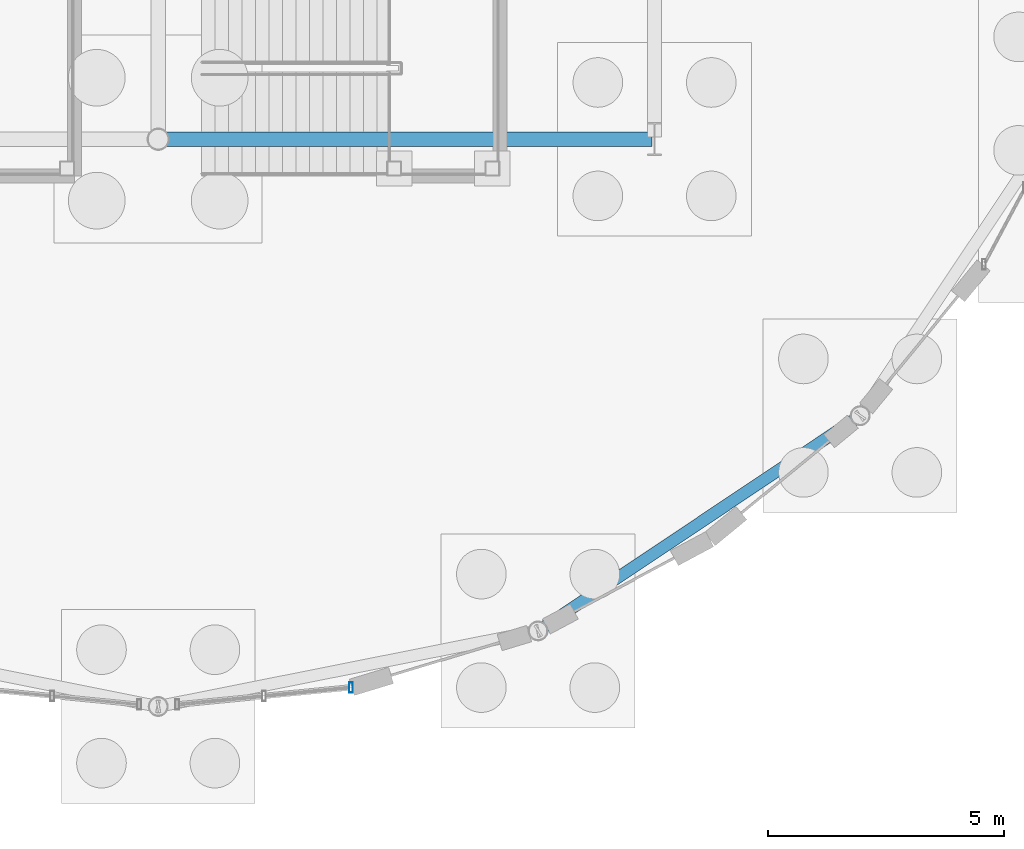
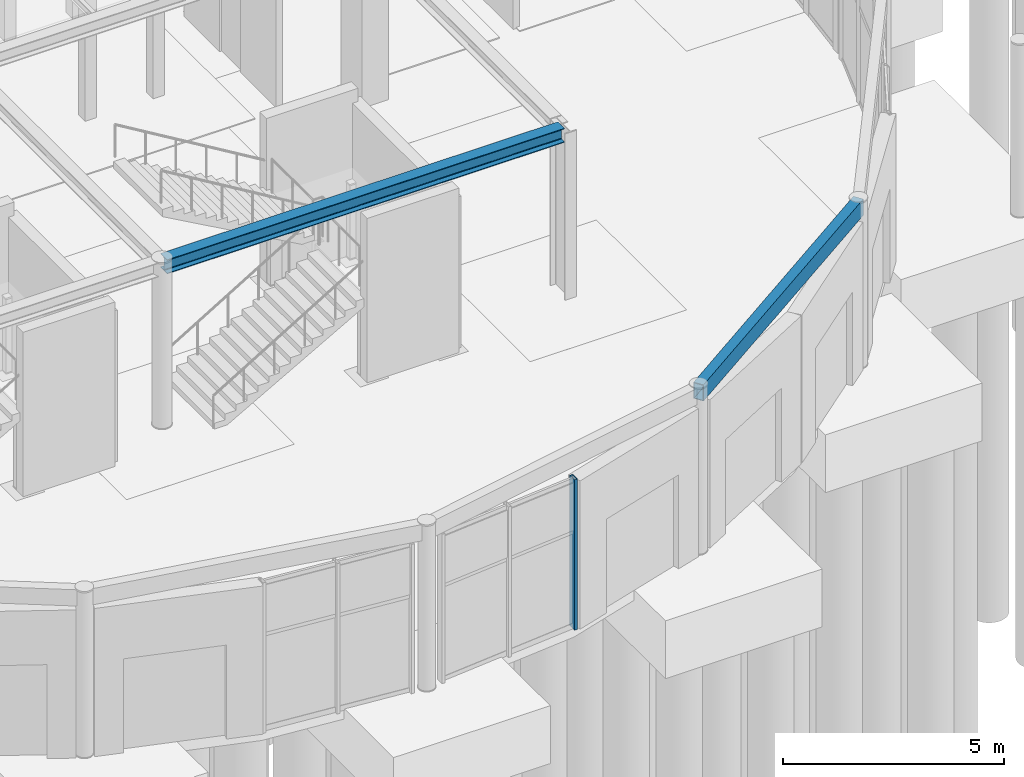
# One storey, part 68 of 160: 2 beams, 1 member, 1 element without a shape of its own.
"""IFC4 building model written with IfcOpenShell, lengths in metres."""

from ifc_helpers import new_model, si_unit, direction, frame, origin, origin_2d, place, context, subcontext, project, spatial, hollow_rectangle, i_section, extrude, material, layer, layer_set, material_profile, profile_set, type_object, element, aggregate, save


model = new_model("IFC4")

# Units and contexts
model_context = context("Model", 3, precision=1e-05, world=origin(), true_north=direction((0.0, 1.0)))
body_context = subcontext(model_context, "Body", "Model", "MODEL_VIEW")
ifc_project = project(units=[si_unit("LENGTHUNIT", "METRE"), si_unit("AREAUNIT", "SQUARE_METRE"), si_unit("VOLUMEUNIT", "CUBIC_METRE"), si_unit("PLANEANGLEUNIT", "RADIAN"), si_unit("MASSUNIT", "GRAM", prefix="KILO")], contexts=[model_context])

# Site, building, storey
site_placement = place(None, origin())
site = spatial("IfcSite", under=ifc_project, at=site_placement, CompositionType="ELEMENT")
building_placement = place(site_placement, origin())
building = spatial("IfcBuilding", under=site, at=building_placement, Name="Marlcrest Central Station", CompositionType="ELEMENT")
storey_placement = place(building_placement, origin())
storey = spatial("IfcBuildingStorey", under=building, at=storey_placement, Name="L00", CompositionType="ELEMENT", Elevation=0.0)

# Beam
ifc_material_1 = material(Name="Steel S355", Category="steel")
ifc_material_profile_1 = material_profile(ifc_material_1, i_section(OverallWidth=0.300048828125, OverallDepth=0.389892578125, WebThickness=0.010986328125, FlangeThickness=0.01904296875, FilletRadius=0.027099609375, at=origin_2d()), Name="HEA 400")
ifc_profile_set_1 = profile_set([ifc_material_profile_1], Name="Steel S355")
beam_type_1 = type_object("IfcBeamType", Name="BM-08", PredefinedType="BEAM", material=ifc_profile_set_1)
beam_1_placement = place(storey_placement, frame((108.050048828125, 13.5, 4.409912109375), z_axis=(1.0, 0.0, 0.0), x_axis=(0.0, 1.0, 0.0)))
element("IfcBeam", 1, at=beam_1_placement, inside=storey, type_object=beam_type_1, Name="bm-BM-08-L00-01332", PredefinedType="BEAM", context=body_context, shape_type="SweptSolid", body=[
    extrude(i_section(OverallWidth=0.300048828125, OverallDepth=0.389892578125, WebThickness=0.010986328125, FlangeThickness=0.01904296875, FilletRadius=0.027099609375, at=origin_2d()), origin(), (0.0, 0.0, 1.0), 10.39990234375),
])

# Curtain wall, member
ifc_material_2 = material(Name="Anodised aluminium and hurricane laminated glass", Category="aluminium")
ifc_layer = layer(ifc_material_2, 0.219970703125, Name="CW-U1")
ifc_layer_set = layer_set([ifc_layer], Name="Anodised aluminium and hurricane laminated glass")
curtain_wall_type = type_object("IfcCurtainWallType", Name="CW-U1", PredefinedType="USERDEFINED", material=ifc_layer_set)
curtain_wall_placement = place(storey_placement, origin())
curtain_wall = element("IfcCurtainWall", 2, at=curtain_wall_placement, inside=storey, type_object=curtain_wall_type, Name="cw-L00-0005", ObjectType="UNITISED_CURTAIN_WALL", PredefinedType="USERDEFINED")
ifc_material_3 = material(Name="Anodised aluminium 6063-T6", Category="aluminium")
ifc_material_profile_2 = material_profile(ifc_material_3, hollow_rectangle(XDim=0.080078125, YDim=0.219970703125, WallThickness=0.006103515625, at=origin_2d()), Name="AA-RHS 220x80x6")
ifc_profile_set_2 = profile_set([ifc_material_profile_2], Name="Anodised aluminium 6063-T6")
member_type = type_object("IfcMemberType", Name="ML-01", PredefinedType="MULLION", material=ifc_profile_set_2)
member_placement = place(storey_placement, frame((112.076416015625, 1.902099609375, -0.030029296875), z_axis=(0.0, 0.0, 1.0), x_axis=(1.0, 0.0, 0.0)))
member = element("IfcMember", 3, at=member_placement, type_object=member_type, Name="cw-L00-0005-ml-0", PredefinedType="MULLION", context=body_context, shape_type="SweptSolid", body=[
    extrude(hollow_rectangle(XDim=0.080078125, YDim=0.219970703125, WallThickness=0.006103515625, at=origin_2d()), origin(), (0.0, 0.0, 1.0), 4.159912109375),
])
aggregate(curtain_wall, [member])

# Beam
ifc_material_profile_3 = material_profile(ifc_material_1, hollow_rectangle(XDim=0.25, YDim=0.449951171875, WallThickness=0.01611328125, at=origin_2d()), Name="RHS 450x250x16")
ifc_profile_set_3 = profile_set([ifc_material_profile_3], Name="Steel S355")
beam_type_2 = type_object("IfcBeamType", Name="SP-02", PredefinedType="SPANDREL", material=ifc_profile_set_3)
beam_2_placement = place(storey_placement, frame((116.035888671875, 3.09912109375, 4.3798828125), z_axis=(0.831508991937, 0.55551129271, 0.0), x_axis=(-0.55551129271, 0.831508991937, 0.0)))
element("IfcBeam", 4, at=beam_2_placement, inside=storey, type_object=beam_type_2, Name="bm-SP-02-L00-01328", PredefinedType="SPANDREL", context=body_context, shape_type="SweptSolid", body=[
    extrude(hollow_rectangle(XDim=0.25, YDim=0.449951171875, WallThickness=0.01611328125, at=origin_2d()), origin(), (0.0, 0.0, 1.0), 8.19384765625),
])

save(model, "model.ifc")
